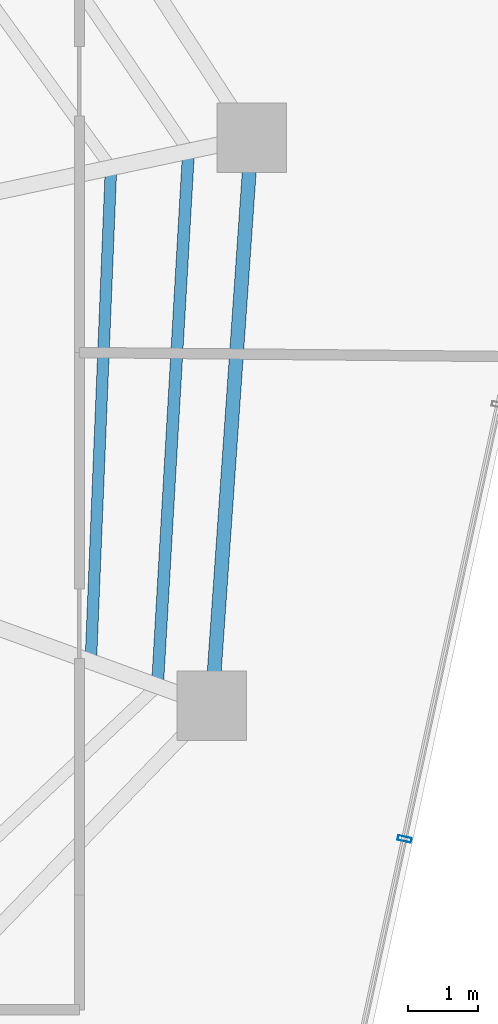
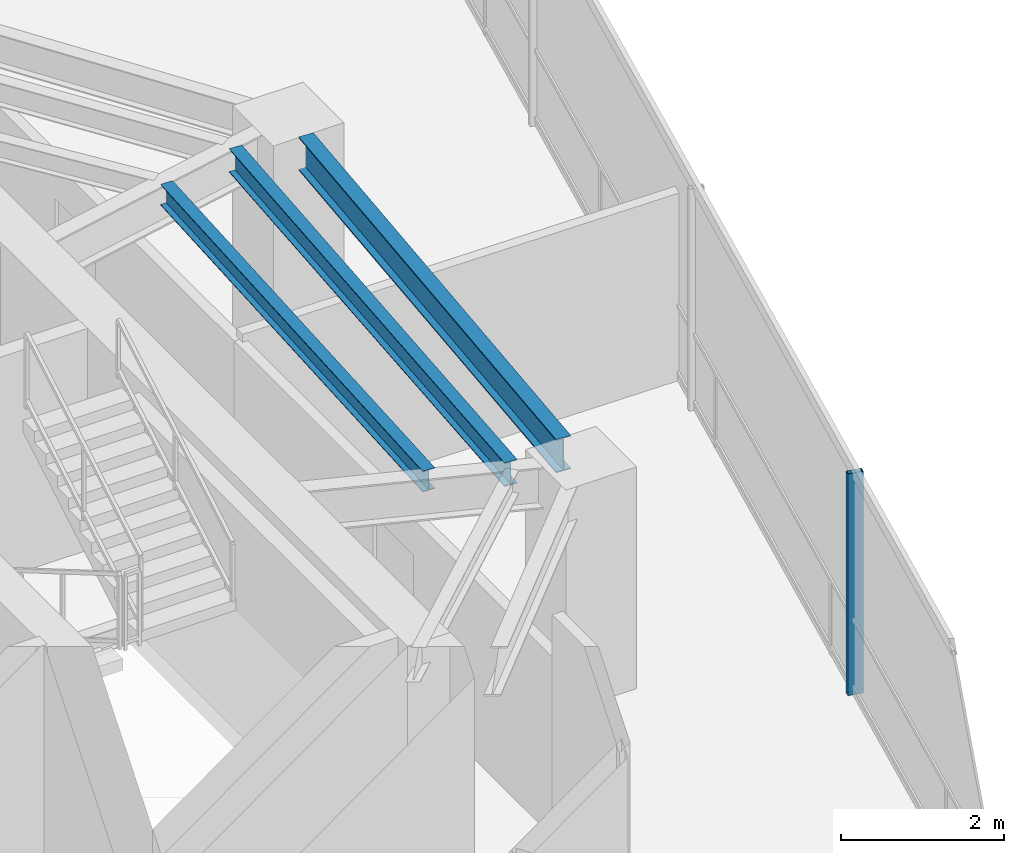
# One storey, part 9 of 21: 3 beams, 1 member, 1 element without a shape of its own.
"""IFC4 building model written with IfcOpenShell, lengths in metres."""

import ifcopenshell
import ifcopenshell.guid

model = None  # the IFC model being written
_history = None  # IfcOwnerHistory: only IFC2X3 demands one
_inside = {}  # id of a spatial element -> (the spatial element, [elements in it])
_under = {}  # id of a project, library or spatial element -> (it, [spatial elements below it])
_declared = {}  # id of a project -> (the project, [libraries it declares])
_typed = {}  # id of a type object -> (the type object, [elements of that type])
_made_of = {}  # id of a material, layer set ... -> (it, [elements and type objects made of it])


def new_model(schema):
    """Start an empty IFC model of exactly this schema.

    Asked for "IFC4X3", IfcOpenShell would pick the latest addendum, in which some entities
    have other attributes; the version numbers below select the first issue.
    IFC2X3 requires an IfcOwnerHistory on every rooted entity: one is made here for all.
    """
    global model, _history
    if schema == "IFC4X3":
        model = ifcopenshell.file(schema_version=(4, 3, 0, 0))
    else:
        model = ifcopenshell.file(schema=schema)
    _inside.clear()
    _under.clear()
    _declared.clear()
    _typed.clear()
    _made_of.clear()
    _history = None
    if model.schema == "IFC2X3":
        org = make("IfcOrganization", Name="unknown")
        user = make(
            "IfcPersonAndOrganization",
            ThePerson=make("IfcPerson", FamilyName="unknown"),
            TheOrganization=org,
        )
        app = make(
            "IfcApplication",
            ApplicationDeveloper=org,
            Version="unknown",
            ApplicationFullName="unknown",
            ApplicationIdentifier="unknown",
        )
        _history = make(
            "IfcOwnerHistory",
            OwningUser=user,
            OwningApplication=app,
            ChangeAction="ADDED",
            CreationDate=0,
        )
    return model


def make(cls, **values):
    """One entity of the class cls with the attributes given. An attribute that is None is left unset."""
    return model.create_entity(
        cls, **{name: value for name, value in values.items() if value is not None}
    )


def rooted(cls, **values):
    """An entity with a GlobalId (a new one), such as an element, a storey or a relation."""
    return make(cls, GlobalId=ifcopenshell.guid.new(), OwnerHistory=_history, **values)


def si_unit(unit_type, name, prefix=None):
    """IfcSIUnit, for example si_unit("LENGTHUNIT", "METRE", prefix="MILLI")."""
    return make("IfcSIUnit", UnitType=unit_type, Prefix=prefix, Name=name)


def assignment(units):
    """IfcUnitAssignment: the units of a project."""
    return None if units is None else make("IfcUnitAssignment", Units=units)


def point(xyz):
    """IfcCartesianPoint."""
    return None if xyz is None else make("IfcCartesianPoint", Coordinates=xyz)


def direction(xyz):
    """IfcDirection."""
    return None if xyz is None else make("IfcDirection", DirectionRatios=xyz)


def frame(location, z_axis=None, x_axis=None):
    """IfcAxis2Placement3D, a coordinate frame: its origin and axes. An axis left out is left unset."""
    return make(
        "IfcAxis2Placement3D",
        Location=point(location),
        Axis=direction(z_axis),
        RefDirection=direction(x_axis),
    )


def frame_2d(location, x_axis=None):
    """IfcAxis2Placement2D, a coordinate frame in the plane: its origin and x axis."""
    return make(
        "IfcAxis2Placement2D", Location=point(location), RefDirection=direction(x_axis)
    )


def origin():
    """The frame at (0, 0, 0) with its axes left unset."""
    return frame((0.0, 0.0, 0.0))


def origin_2d():
    """The frame at (0, 0) in the plane with its x axis left unset."""
    return frame_2d((0.0, 0.0))


def place(relative_to, where):
    """IfcLocalPlacement: puts the frame where relative to a parent placement (None: the world)."""
    return make(
        "IfcLocalPlacement", PlacementRelTo=relative_to, RelativePlacement=where
    )


def context(
    kind, dimensions, precision=None, world=None, true_north=None, identifier=None
):
    """IfcGeometricRepresentationContext, for example the 3D "Model" context."""
    return make(
        "IfcGeometricRepresentationContext",
        ContextIdentifier=identifier,
        ContextType=kind,
        CoordinateSpaceDimension=dimensions,
        Precision=precision,
        WorldCoordinateSystem=world,
        TrueNorth=true_north,
    )


def subcontext(parent, identifier, kind, view, scale=None):
    """IfcGeometricRepresentationSubContext, for example "Body" below "Model"."""
    return make(
        "IfcGeometricRepresentationSubContext",
        ContextIdentifier=identifier,
        ContextType=kind,
        ParentContext=parent,
        TargetScale=scale,
        TargetView=view,
    )


def project(units=None, contexts=None):
    """IfcProject with its units and contexts."""
    return rooted(
        "IfcProject",
        Name="project",
        RepresentationContexts=contexts,
        UnitsInContext=assignment(units),
    )


def spatial(cls, under=None, at=None, **own):
    """A site, building, storey or space (cls), placed at a placement, below another one or the project."""
    s = rooted(cls, ObjectPlacement=at, **own)
    if under is not None:
        _under.setdefault(under.id(), (under, []))[1].append(s)
    return s


def profile(cls, at=None, kind="AREA", **sizes):
    """A parametric profile (cls). Its sizes go by their IFC names, for example OverallWidth=200.0."""
    return make(cls, ProfileType=kind, Position=at, **sizes)


def hollow_rectangle(**sizes):
    """IfcRectangleHollowProfileDef."""
    return profile("IfcRectangleHollowProfileDef", **sizes)


def i_section(**sizes):
    """IfcIShapeProfileDef."""
    return profile("IfcIShapeProfileDef", **sizes)


def extrude(swept, where, along, depth):
    """IfcExtrudedAreaSolid: the profile swept, set in the frame where, extruded along a direction by depth."""
    return make(
        "IfcExtrudedAreaSolid",
        SweptArea=swept,
        Position=where,
        ExtrudedDirection=direction(along),
        Depth=depth,
    )


def shape(context_of_items, identifier, shape_type, items):
    """IfcShapeRepresentation: the items that make up one representation, for example the "Body"."""
    return make(
        "IfcShapeRepresentation",
        ContextOfItems=context_of_items,
        RepresentationIdentifier=identifier,
        RepresentationType=shape_type,
        Items=items,
    )


def material(Name=None, Category=None):
    """IfcMaterial."""
    return make("IfcMaterial", Name=Name, Category=Category)


def layer(
    of_material, thickness, ventilated=None, Name=None, Category=None, Priority=None
):
    """IfcMaterialLayer: one layer of a wall or slab, of a material (None: an air gap)."""
    return make(
        "IfcMaterialLayer",
        Material=of_material,
        LayerThickness=thickness,
        IsVentilated=ventilated,
        Name=Name,
        Category=Category,
        Priority=Priority,
    )


def layer_set(layers, Name=None):
    """IfcMaterialLayerSet."""
    return make("IfcMaterialLayerSet", MaterialLayers=layers, LayerSetName=Name)


def material_profile(
    of_material, cross_section, Name=None, Category=None, Priority=None
):
    """IfcMaterialProfile: a cross section and its material."""
    return make(
        "IfcMaterialProfile",
        Name=Name,
        Material=of_material,
        Profile=cross_section,
        Priority=Priority,
        Category=Category,
    )


def profile_set(profiles, Name=None, composite=None):
    """IfcMaterialProfileSet."""
    return make(
        "IfcMaterialProfileSet",
        Name=Name,
        MaterialProfiles=profiles,
        CompositeProfile=composite,
    )


def made_of(thing, what):
    """Note that an element or type object is made of a material, layer set ...; save() writes the relation."""
    if what is not None:
        _made_of.setdefault(what.id(), (what, []))[1].append(thing)
    return thing


def type_object(cls, material=None, **own):
    """A type object (cls), such as IfcWallType, which elements share."""
    return made_of(rooted(cls, **own), material)


def element(
    cls,
    number,
    at=None,
    inside=None,
    cuts=None,
    type_object=None,
    material=None,
    context=None,
    identifier="Body",
    shape_type=None,
    held_by="IfcProductDefinitionShape",
    body=None,
    shapes=None,
    **own,
):
    """One element of the class cls, such as IfcWall. Its Tag is "e" and its number.

    at: its placement. inside: the storey or other place that contains it. cuts: it is an
    opening in that element (IfcRelVoidsElement). A single representation is given by context,
    identifier, shape_type and body (its items); several are given by shapes. held_by: the class
    of the entity that holds the representations. save() writes the other relations.
    """
    e = rooted(cls, Tag="e%d" % number, ObjectPlacement=at, **own)
    if body is not None:
        shapes = [shape(context, identifier, shape_type, body)]
    if shapes is not None:
        e.Representation = make(held_by, Representations=shapes)
    if inside is not None:
        _inside.setdefault(inside.id(), (inside, []))[1].append(e)
    if cuts is not None:
        rooted(
            "IfcRelVoidsElement", RelatingBuildingElement=cuts, RelatedOpeningElement=e
        )
    if type_object is not None:
        _typed.setdefault(type_object.id(), (type_object, []))[1].append(e)
    return made_of(e, material)


def aggregate(whole, parts):
    """IfcRelAggregates: a whole, such as a stair, and the parts it consists of."""
    return rooted("IfcRelAggregates", RelatingObject=whole, RelatedObjects=parts)


def save(model, path):
    """Write the relations noted so far, then the file.

    IfcRelAggregates (storeys below a building ...), IfcRelContainedInSpatialStructure (elements
    in a storey), IfcRelDefinesByType, IfcRelAssociatesMaterial and IfcRelDeclares: one each for
    every whole, place, type object, material and project.
    """
    for whole, parts in _under.values():
        aggregate(whole, parts)
    for where, things in _inside.values():
        rooted(
            "IfcRelContainedInSpatialStructure",
            RelatedElements=things,
            RelatingStructure=where,
        )
    for kind, things in _typed.values():
        rooted("IfcRelDefinesByType", RelatedObjects=things, RelatingType=kind)
    for what, things in _made_of.values():
        rooted("IfcRelAssociatesMaterial", RelatedObjects=things, RelatingMaterial=what)
    for by, libraries in _declared.values():
        rooted("IfcRelDeclares", RelatingContext=by, RelatedDefinitions=libraries)
    model.write(path)


model = new_model("IFC4")

# Units and contexts
model_context = context("Model", 3, precision=1e-05, world=origin(), true_north=direction((0.0, 1.0)))
body_context = subcontext(model_context, "Body", "Model", "MODEL_VIEW")
ifc_project = project(units=[si_unit("LENGTHUNIT", "METRE"), si_unit("AREAUNIT", "SQUARE_METRE"), si_unit("VOLUMEUNIT", "CUBIC_METRE"), si_unit("PLANEANGLEUNIT", "RADIAN"), si_unit("MASSUNIT", "GRAM", prefix="KILO")], contexts=[model_context])

# Site, building, storey
site_placement = place(None, origin())
site = spatial("IfcSite", under=ifc_project, at=site_placement, CompositionType="ELEMENT")
building_placement = place(site_placement, origin())
building = spatial("IfcBuilding", under=site, at=building_placement, Name="Qarnah Convention Tower", CompositionType="ELEMENT")
storey_placement = place(building_placement, frame((0.0, 0.0, 132.89990234375)))
storey = spatial("IfcBuildingStorey", under=building, at=storey_placement, Name="L35", CompositionType="ELEMENT", Elevation=132.89990234375)

# Beams
ifc_material_1 = material(Name="Structural steel S355JR", Category="steel")
ifc_material_profile_1 = material_profile(ifc_material_1, i_section(OverallWidth=0.166015625, OverallDepth=0.31201171875, WebThickness=0.007080078125, FlangeThickness=0.010986328125, at=origin_2d()), Name="W310X45")
ifc_profile_set_1 = profile_set([ifc_material_profile_1], Name="Structural steel S355JR")
beam_type_1 = type_object("IfcBeamType", Name="BM-JST-W310", PredefinedType="JOIST", material=ifc_profile_set_1)
beam_1_placement = place(storey_placement, frame((49.4169921875, 22.044921875, 3.1640625), z_axis=(0.040843398735, 0.999165560245, 0.0), x_axis=(-0.999165560245, 0.040843398735, 0.0)))
element("IfcBeam", 1, at=beam_1_placement, inside=storey, type_object=beam_type_1, Name="L35 joist BM-L35-IJST-09", PredefinedType="JOIST", context=body_context, shape_type="SweptSolid", body=[
    extrude(i_section(OverallWidth=0.166015625, OverallDepth=0.31201171875, WebThickness=0.007080078125, FlangeThickness=0.010986328125, at=origin_2d()), origin(), (0.0, 0.0, 1.0), 6.927978515625),
])
ifc_material_profile_2 = material_profile(ifc_material_1, i_section(OverallWidth=0.172119140625, OverallDepth=0.35595703125, WebThickness=0.007080078125, FlangeThickness=0.011962890625, at=origin_2d()), Name="W360X51")
ifc_profile_set_2 = profile_set([ifc_material_profile_2], Name="Structural steel S355JR")
beam_type_2 = type_object("IfcBeamType", Name="BM-JST-W360", PredefinedType="JOIST", material=ifc_profile_set_2)
beam_2_placement = place(storey_placement, frame((50.376953125, 21.696044921875, 3.14208984375), z_axis=(0.057977943794, 0.998317864226, 0.0), x_axis=(-0.998317864226, 0.057977943794, 0.0)))
element("IfcBeam", 2, at=beam_2_placement, inside=storey, type_object=beam_type_2, Name="L35 joist BM-L35-SJST-09", PredefinedType="JOIST", context=body_context, shape_type="SweptSolid", body=[
    extrude(i_section(OverallWidth=0.172119140625, OverallDepth=0.35595703125, WebThickness=0.007080078125, FlangeThickness=0.011962890625, at=origin_2d()), origin(), (0.0, 0.0, 1.0), 7.520751953125),
])
ifc_material_profile_3 = material_profile(ifc_material_1, i_section(OverallWidth=0.199951171875, OverallDepth=0.5, WebThickness=0.010009765625, FlangeThickness=0.01611328125, at=origin_2d()), Name="IPE500")
ifc_profile_set_3 = profile_set([ifc_material_profile_3], Name="Structural steel S355JR")
beam_type_3 = type_object("IfcBeamType", Name="BM-SPN-IPE500", PredefinedType="SPANDREL", material=ifc_profile_set_3)
beam_3_placement = place(storey_placement, frame((51.18798828125, 21.81005859375, 3.070068359375), z_axis=(0.069797433651, 0.997561185219, 0.0), x_axis=(-0.997561185219, 0.069797433651, 0.0)))
element("IfcBeam", 3, at=beam_3_placement, inside=storey, type_object=beam_type_3, Name="L35 spandrel BM-L35-SPN-09", PredefinedType="SPANDREL", context=body_context, shape_type="SweptSolid", body=[
    extrude(i_section(OverallWidth=0.199951171875, OverallDepth=0.5, WebThickness=0.010009765625, FlangeThickness=0.01611328125, at=origin_2d()), origin(), (0.0, 0.0, 1.0), 7.20556640625),
])

# Curtain wall, member
ifc_material_2 = material(Name="Tempered Low-E dark glass", Category="glass")
ifc_layer = layer(ifc_material_2, 0.172119140625)
ifc_layer_set = layer_set([ifc_layer], Name="Tempered Low-E dark glass")
curtain_wall_type = type_object("IfcCurtainWallType", Name="CWS-03", PredefinedType="NOTDEFINED", material=ifc_layer_set)
curtain_wall_placement = place(storey_placement, origin())
curtain_wall = element("IfcCurtainWall", 4, at=curtain_wall_placement, inside=storey, type_object=curtain_wall_type, Name="L35 unitised curtain wall CW-L35-F3", PredefinedType="NOTDEFINED")
ifc_material_3 = material(Name="Black anodised aluminium", Category="aluminium")
ifc_material_profile_4 = material_profile(ifc_material_3, hollow_rectangle(XDim=0.070068359375, YDim=0.199951171875, WallThickness=0.0048828125, at=origin_2d()), Name="MUL-70X200")
ifc_profile_set_4 = profile_set([ifc_material_profile_4], Name="Black anodised aluminium")
member_type = type_object("IfcMemberType", Name="MUL-T3", PredefinedType="MULLION", material=ifc_profile_set_4)
member_placement = place(storey_placement, frame((53.92431640625, 19.405029296875, 0.0), z_axis=(0.0, 0.0, 1.0), x_axis=(-0.21201753146, -0.977265862677, 0.0)))
member = element("IfcMember", 5, at=member_placement, type_object=member_type, Name="CW-L35-F3 mullion 4", PredefinedType="MULLION", context=body_context, shape_type="SweptSolid", body=[
    extrude(hollow_rectangle(XDim=0.070068359375, YDim=0.199951171875, WallThickness=0.0048828125, at=origin_2d()), origin(), (0.0, 0.0, 1.0), 3.320068359375),
])
aggregate(curtain_wall, [member])

save(model, "model.ifc")
